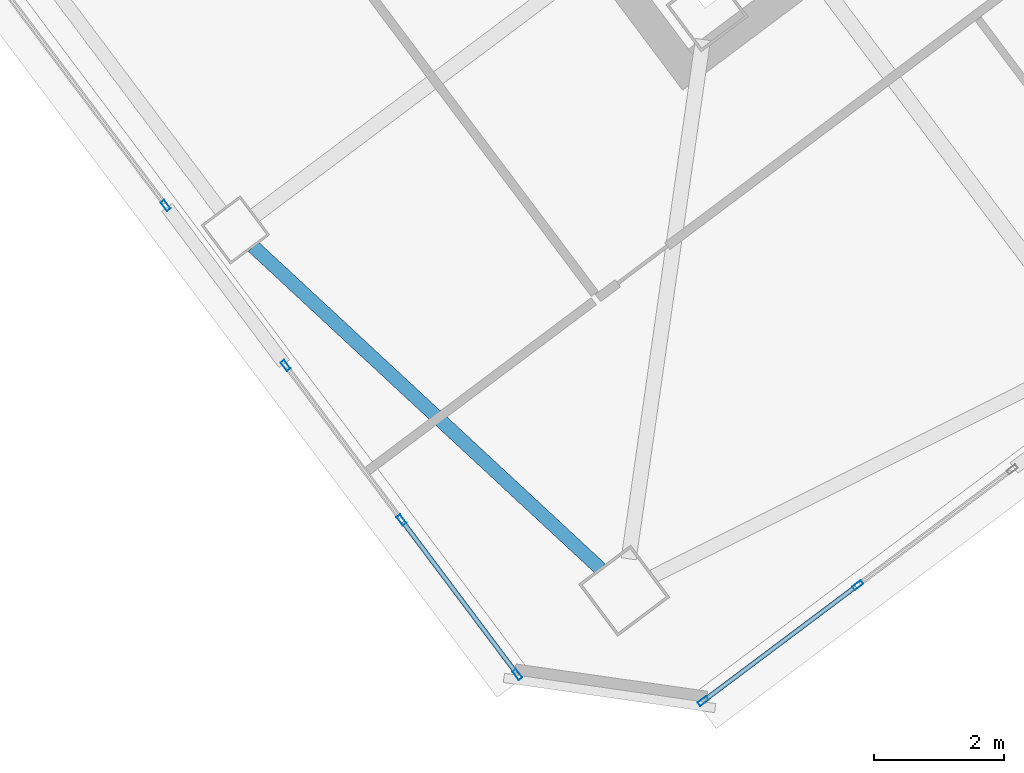
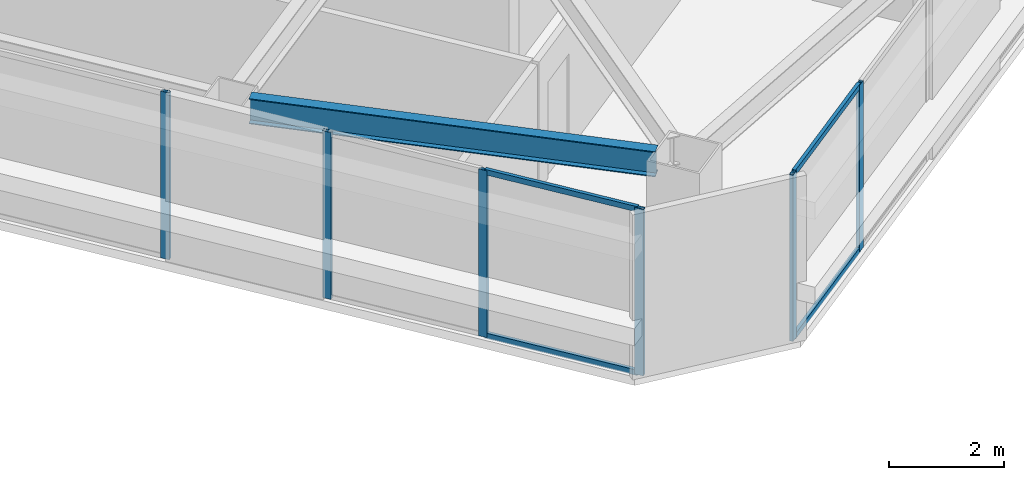
# One storey, part 16 of 39: 10 members, 1 beam, 3 elements without a shape of their own.
"""IFC4 building model written with IfcOpenShell, lengths in metres."""

from ifc_helpers import new_model, si_unit, direction, frame, origin, origin_2d, place, context, subcontext, project, spatial, hollow_rectangle, i_section, extrude, material, material_profile, profile_set, type_object, element, aggregate, save


model = new_model("IFC4")

# Units and contexts
model_context = context("Model", 3, precision=1e-05, world=origin(), true_north=direction((0.0, 1.0)))
body_context = subcontext(model_context, "Body", "Model", "MODEL_VIEW")
ifc_project = project(units=[si_unit("LENGTHUNIT", "METRE"), si_unit("AREAUNIT", "SQUARE_METRE"), si_unit("VOLUMEUNIT", "CUBIC_METRE"), si_unit("PLANEANGLEUNIT", "RADIAN"), si_unit("MASSUNIT", "GRAM", prefix="KILO")], contexts=[model_context])

# Site, building, storey
site_placement = place(None, origin())
site = spatial("IfcSite", under=ifc_project, at=site_placement, CompositionType="ELEMENT")
building_placement = place(site_placement, origin())
building = spatial("IfcBuilding", under=site, at=building_placement, Name="Tashvorn Skyway Center", CompositionType="ELEMENT")
storey_placement = place(building_placement, frame((0.0, 0.0, 214.85009765625)))
storey = spatial("IfcBuildingStorey", under=building, at=storey_placement, Name="L58", CompositionType="ELEMENT", Elevation=214.85009765625)

# Beam
ifc_material_1 = material(Name="Steel ASTM A992 Grade 50", Category="steel")
ifc_material_profile_1 = material_profile(ifc_material_1, i_section(OverallWidth=0.2109375, OverallDepth=0.5390625, WebThickness=0.01171875, FlangeThickness=0.018798828125, at=origin_2d()), Name="W21X73")
ifc_profile_set_1 = profile_set([ifc_material_profile_1], Name="Steel ASTM A992 Grade 50")
beam_type = type_object("IfcBeamType", Name="BM-SPANDREL-W21X73", PredefinedType="SPANDREL", material=ifc_profile_set_1)
beam_placement = place(storey_placement, frame((105.63134765625, 18.518310546875, 3.100341796875), z_axis=(0.733042389989, -0.680182956622, 0.0), x_axis=(0.680182956622, 0.733042389989, 0.0)))
element("IfcBeam", 1, at=beam_placement, inside=storey, type_object=beam_type, Name="Tower 2 L58 Spandrel Beam 12", PredefinedType="SPANDREL", context=body_context, shape_type="SweptSolid", body=[
    extrude(i_section(OverallWidth=0.2109375, OverallDepth=0.5390625, WebThickness=0.01171875, FlangeThickness=0.018798828125, at=origin_2d()), origin(), (0.0, 0.0, 1.0), 7.26513671875),
])

# Curtain wall, members
ifc_material_2 = material(Name="Thermally broken bronze-anodized aluminium 6063-T6", Category="aluminium")
curtain_wall_type = type_object("IfcCurtainWallType", Name="CW-CW-Z5", PredefinedType="NOTDEFINED", material=ifc_material_2)
curtain_wall_1_placement = place(storey_placement, origin())
curtain_wall_1 = element("IfcCurtainWall", 2, at=curtain_wall_1_placement, inside=storey, type_object=curtain_wall_type, Name="Tower 2 L58 South Unitised Curtain Wall Glazing Group 3", PredefinedType="NOTDEFINED")
ifc_material_profile_2 = material_profile(ifc_material_2, hollow_rectangle(XDim=0.070068359375, YDim=0.1650390625, WallThickness=0.00390625, at=origin_2d()), Name="ALU-MULL-70x165")
ifc_profile_set_2 = profile_set([ifc_material_profile_2], Name="Thermally broken bronze-anodized aluminium 6063-T6")
member_type_1 = type_object("IfcMemberType", Name="CWM-CW-Z5", PredefinedType="MULLION", material=ifc_profile_set_2)
member_1_placement = place(storey_placement, frame((114.900390625, 13.325439453125, 0.0), z_axis=(0.0, 0.0, 1.0), x_axis=(0.600002670604, -0.79999799704, 0.0)))
member_1 = element("IfcMember", 3, at=member_1_placement, type_object=member_type_1, Name="CW-Z5 mullion 2", PredefinedType="MULLION", context=body_context, shape_type="SweptSolid", body=[
    extrude(hollow_rectangle(XDim=0.070068359375, YDim=0.1650390625, WallThickness=0.00390625, at=origin_2d()), origin(), (0.0, 0.0, 1.0), 3.5498046875),
])
member_2_placement = place(storey_placement, frame((112.531982421875, 11.549072265625, 0.0), z_axis=(0.0, 0.0, 1.0), x_axis=(0.600002670604, -0.79999799704, 0.0)))
member_2 = element("IfcMember", 4, at=member_2_placement, type_object=member_type_1, Name="CW-Z5 mullion 3", PredefinedType="MULLION", context=body_context, shape_type="SweptSolid", body=[
    extrude(hollow_rectangle(XDim=0.070068359375, YDim=0.1650390625, WallThickness=0.00390625, at=origin_2d()), origin(), (0.0, 0.0, 1.0), 3.5498046875),
])

curtain_wall_2_placement = place(storey_placement, origin())
curtain_wall_2 = element("IfcCurtainWall", 5, at=curtain_wall_2_placement, inside=storey, type_object=curtain_wall_type, Name="Tower 2 L58 West Unitised Curtain Wall Glazing Group 1", PredefinedType="NOTDEFINED")
member_3_placement = place(storey_placement, frame((109.68310546875, 11.9560546875, 0.0), z_axis=(0.0, 0.0, 1.0), x_axis=(-0.79999799704, -0.600002670604, 0.0)))
member_3 = element("IfcMember", 6, at=member_3_placement, type_object=member_type_1, Name="CW-Z5 mullion 1", PredefinedType="MULLION", context=body_context, shape_type="SweptSolid", body=[
    extrude(hollow_rectangle(XDim=0.070068359375, YDim=0.1650390625, WallThickness=0.00390625, at=origin_2d()), origin(), (0.0, 0.0, 1.0), 3.5498046875),
])
member_4_placement = place(storey_placement, frame((107.90673828125, 14.324462890625, 0.0), z_axis=(0.0, 0.0, 1.0), x_axis=(-0.79999799704, -0.600002670604, 0.0)))
member_4 = element("IfcMember", 7, at=member_4_placement, type_object=member_type_1, Name="CW-Z5 mullion 2", PredefinedType="MULLION", context=body_context, shape_type="SweptSolid", body=[
    extrude(hollow_rectangle(XDim=0.070068359375, YDim=0.1650390625, WallThickness=0.00390625, at=origin_2d()), origin(), (0.0, 0.0, 1.0), 3.5498046875),
])
member_5_placement = place(storey_placement, frame((106.13037109375, 16.69287109375, 0.0), z_axis=(0.0, 0.0, 1.0), x_axis=(-0.79999799704, -0.600002670604, 0.0)))
member_5 = element("IfcMember", 8, at=member_5_placement, type_object=member_type_1, Name="CW-Z5 mullion 3", PredefinedType="MULLION", context=body_context, shape_type="SweptSolid", body=[
    extrude(hollow_rectangle(XDim=0.070068359375, YDim=0.1650390625, WallThickness=0.00390625, at=origin_2d()), origin(), (0.0, 0.0, 1.0), 3.5498046875),
])

# Curtain wall, member
curtain_wall_3_placement = place(storey_placement, origin())
curtain_wall_3 = element("IfcCurtainWall", 9, at=curtain_wall_3_placement, inside=storey, type_object=curtain_wall_type, Name="Tower 2 L58 West Unitised Curtain Wall Glazing Group 2", PredefinedType="NOTDEFINED")
member_6_placement = place(storey_placement, frame((104.291015625, 19.145263671875, 0.0), z_axis=(0.0, 0.0, 1.0), x_axis=(-0.800002670596, -0.599996439189, 0.0)))
member_6 = element("IfcMember", 10, at=member_6_placement, type_object=member_type_1, Name="CW-Z5 mullion 1", PredefinedType="MULLION", context=body_context, shape_type="SweptSolid", body=[
    extrude(hollow_rectangle(XDim=0.070068359375, YDim=0.1650390625, WallThickness=0.00390625, at=origin_2d()), origin(), (0.0, 0.0, 1.0), 3.5498046875),
])
aggregate(curtain_wall_3, [member_6])

# Member
ifc_material_profile_3 = material_profile(ifc_material_2, hollow_rectangle(XDim=0.070068359375, YDim=0.114990234375, WallThickness=0.00390625, at=origin_2d()), Name="ALU-TRAN-70x115")
ifc_profile_set_3 = profile_set([ifc_material_profile_3], Name="Thermally broken bronze-anodized aluminium 6063-T6")
member_type_2 = type_object("IfcMemberType", Name="CWT-CW-Z5", PredefinedType="USERDEFINED", material=ifc_profile_set_3)
member_7_placement = place(storey_placement, frame((114.87255859375, 13.304443359375, 0.034912109375), z_axis=(-0.8, -0.6, 0.0), x_axis=(0.6, -0.8, 0.0)))
member_7 = element("IfcMember", 11, at=member_7_placement, type_object=member_type_2, Name="CW-Z5 transom 2.1", ObjectType="TRANSOM", PredefinedType="USERDEFINED", context=body_context, shape_type="SweptSolid", body=[
    extrude(hollow_rectangle(XDim=0.070068359375, YDim=0.114990234375, WallThickness=0.00390625, at=origin_2d()), origin(), (0.0, 0.0, 1.0), 2.890625),
])

member_8_placement = place(storey_placement, frame((114.87255859375, 13.304443359375, 3.514892578125), z_axis=(-0.8, -0.6, 0.0), x_axis=(0.6, -0.8, 0.0)))
member_8 = element("IfcMember", 12, at=member_8_placement, type_object=member_type_2, Name="CW-Z5 transom 2.2", ObjectType="TRANSOM", PredefinedType="USERDEFINED", context=body_context, shape_type="SweptSolid", body=[
    extrude(hollow_rectangle(XDim=0.070068359375, YDim=0.114990234375, WallThickness=0.00390625, at=origin_2d()), origin(), (0.0, 0.0, 1.0), 2.890625),
])

aggregate(curtain_wall_1, [member_1, member_2, member_7, member_8])

member_9_placement = place(storey_placement, frame((109.662109375, 11.98388671875, 0.034912109375), z_axis=(-0.6, 0.8, 0.0), x_axis=(-0.8, -0.6, 0.0)))
member_9 = element("IfcMember", 13, at=member_9_placement, type_object=member_type_2, Name="CW-Z5 transom 1.1", ObjectType="TRANSOM", PredefinedType="USERDEFINED", context=body_context, shape_type="SweptSolid", body=[
    extrude(hollow_rectangle(XDim=0.070068359375, YDim=0.114990234375, WallThickness=0.00390625, at=origin_2d()), origin(), (0.0, 0.0, 1.0), 2.890625),
])

member_10_placement = place(storey_placement, frame((109.662109375, 11.98388671875, 3.514892578125), z_axis=(-0.6, 0.8, 0.0), x_axis=(-0.8, -0.6, 0.0)))
member_10 = element("IfcMember", 14, at=member_10_placement, type_object=member_type_2, Name="CW-Z5 transom 1.2", ObjectType="TRANSOM", PredefinedType="USERDEFINED", context=body_context, shape_type="SweptSolid", body=[
    extrude(hollow_rectangle(XDim=0.070068359375, YDim=0.114990234375, WallThickness=0.00390625, at=origin_2d()), origin(), (0.0, 0.0, 1.0), 2.890625),
])

aggregate(curtain_wall_2, [member_3, member_4, member_5, member_9, member_10])

save(model, "model.ifc")
